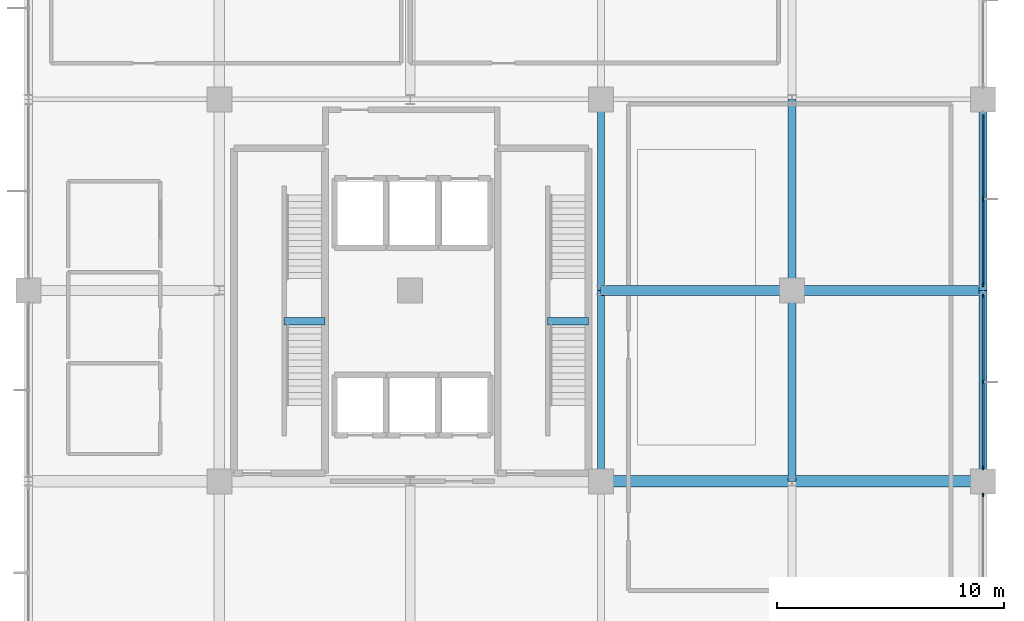
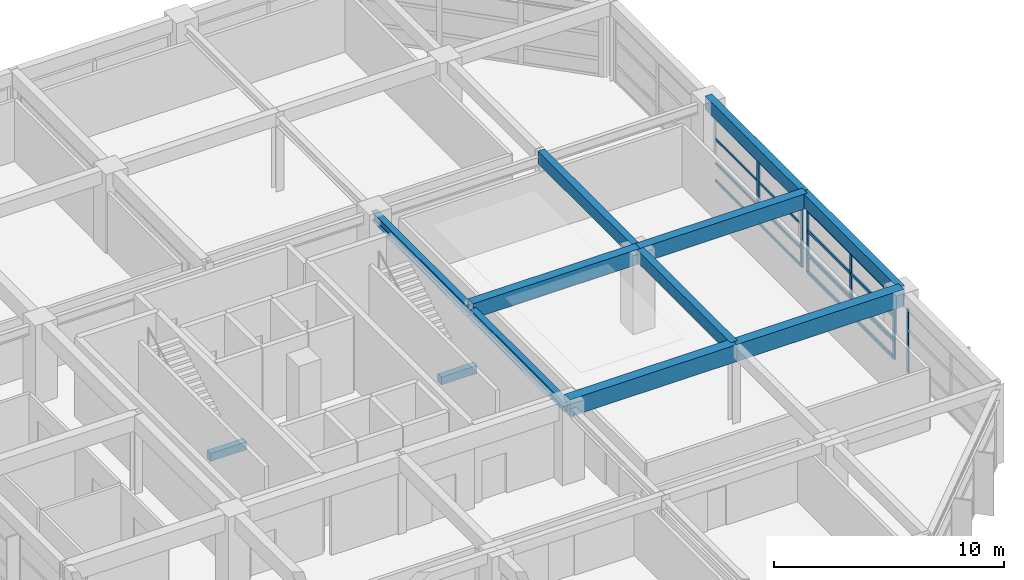
# One storey, part 9 of 19: 22 members, 12 beams, 3 elements without a shape of their own.
"""IFC4 building model written with IfcOpenShell, lengths in metres."""

from ifc_helpers import new_model, si_unit, direction, frame, origin, origin_2d, place, context, subcontext, project, spatial, rectangle, i_section, extrude, material, material_profile, profile_set, type_object, element, aggregate, save


model = new_model("IFC4")

# Units and contexts
model_context = context("Model", 3, precision=1e-05, world=origin(), true_north=direction((0.0, 1.0)))
body_context = subcontext(model_context, "Body", "Model", "MODEL_VIEW")
ifc_project = project(units=[si_unit("LENGTHUNIT", "METRE"), si_unit("AREAUNIT", "SQUARE_METRE"), si_unit("VOLUMEUNIT", "CUBIC_METRE"), si_unit("PLANEANGLEUNIT", "RADIAN"), si_unit("MASSUNIT", "GRAM", prefix="KILO")], contexts=[model_context])

# Site, building, storey
site_placement = place(None, origin())
site = spatial("IfcSite", under=ifc_project, at=site_placement, CompositionType="ELEMENT")
building_placement = place(site_placement, origin())
building = spatial("IfcBuilding", under=site, at=building_placement, Name="Xuanlan Plaza Opera House", CompositionType="ELEMENT")
storey_placement = place(building_placement, frame((0.0, 0.0, 36.300048828125)))
storey = spatial("IfcBuildingStorey", under=building, at=storey_placement, Name="L08", CompositionType="ELEMENT", Elevation=36.300048828125)

# Curtain wall, member
ifc_material_1 = material(Name="Anodised Aluminium 6063-T6 and Low-E Glass", Category="aluminium")
curtain_wall_type_1 = type_object("IfcCurtainWallType", Name="ENV-CW-CW-04", PredefinedType="USERDEFINED", material=ifc_material_1)
curtain_wall_1_placement = place(storey_placement, origin())
curtain_wall_1 = element("IfcCurtainWall", 1, at=curtain_wall_1_placement, inside=storey, type_object=curtain_wall_type_1, Name="Unitised Curtain Wall L08-006", ObjectType="UNITISED CURTAIN WALL", PredefinedType="USERDEFINED")
ifc_material_2 = material(Name="Anodised Aluminium 6063-T6", Category="aluminium")
ifc_material_profile_1 = material_profile(ifc_material_2, rectangle(XDim=0.06494140625, YDim=0.159912109375, at=origin_2d()), Name="ALU-M 65x160")
ifc_profile_set_1 = profile_set([ifc_material_profile_1], Name="Anodised Aluminium 6063-T6")
member_type_1 = type_object("IfcMemberType", Name="ENV-CWM-01", PredefinedType="MULLION", material=ifc_profile_set_1)
member_1_placement = place(storey_placement, frame((168.0, 49.797607421875, 0.0), z_axis=(0.0, 0.0, 1.0), x_axis=(-1.0, 0.0, 0.0)))
member_1 = element("IfcMember", 2, at=member_1_placement, type_object=member_type_1, Name="CW-04 mullion 3", PredefinedType="MULLION", context=body_context, shape_type="SweptSolid", body=[
    extrude(rectangle(XDim=0.06494140625, YDim=0.159912109375, at=origin_2d()), origin(), (0.0, 0.0, 1.0), 3.3798828125),
])
aggregate(curtain_wall_1, [member_1])

# Curtain wall, members
curtain_wall_type_2 = type_object("IfcCurtainWallType", Name="ENV-CW-CW-01", PredefinedType="USERDEFINED", material=ifc_material_1)
curtain_wall_2_placement = place(storey_placement, origin())
curtain_wall_2 = element("IfcCurtainWall", 3, at=curtain_wall_2_placement, inside=storey, type_object=curtain_wall_type_2, Name="Unitised Curtain Wall L08-007", ObjectType="UNITISED CURTAIN WALL", PredefinedType="USERDEFINED")
ifc_material_profile_2 = material_profile(ifc_material_2, rectangle(XDim=0.070068359375, YDim=0.179931640625, at=origin_2d()), Name="ALU-M 70x180")
ifc_profile_set_2 = profile_set([ifc_material_profile_2], Name="Anodised Aluminium 6063-T6")
member_type_2 = type_object("IfcMemberType", Name="ENV-CWM-02", PredefinedType="MULLION", material=ifc_profile_set_2)
member_2_placement = place(storey_placement, frame((168.0, 51.0048828125, 0.0), z_axis=(0.0, 0.0, 1.0), x_axis=(-1.0, 0.0, 0.0)))
member_2 = element("IfcMember", 4, at=member_2_placement, type_object=member_type_2, Name="CW-01 mullion 1", PredefinedType="MULLION", context=body_context, shape_type="SweptSolid", body=[
    extrude(rectangle(XDim=0.070068359375, YDim=0.179931640625, at=origin_2d()), origin(), (0.0, 0.0, 1.0), 3.3798828125),
])
member_3_placement = place(storey_placement, frame((168.0, 54.77490234375, 0.0), z_axis=(0.0, 0.0, 1.0), x_axis=(-1.0, 0.0, 0.0)))
member_3 = element("IfcMember", 5, at=member_3_placement, type_object=member_type_2, Name="CW-01 mullion 2", PredefinedType="MULLION", context=body_context, shape_type="SweptSolid", body=[
    extrude(rectangle(XDim=0.070068359375, YDim=0.179931640625, at=origin_2d()), origin(), (0.0, 0.0, 1.0), 3.3798828125),
])
member_4_placement = place(storey_placement, frame((168.0, 58.544921875, 0.0), z_axis=(0.0, 0.0, 1.0), x_axis=(-1.0, 0.0, 0.0)))
member_4 = element("IfcMember", 6, at=member_4_placement, type_object=member_type_2, Name="CW-01 mullion 3", PredefinedType="MULLION", context=body_context, shape_type="SweptSolid", body=[
    extrude(rectangle(XDim=0.070068359375, YDim=0.179931640625, at=origin_2d()), origin(), (0.0, 0.0, 1.0), 3.3798828125),
])

curtain_wall_type_3 = type_object("IfcCurtainWallType", Name="ENV-CW-CW-02", PredefinedType="USERDEFINED", material=ifc_material_1)
curtain_wall_3_placement = place(storey_placement, origin())
curtain_wall_3 = element("IfcCurtainWall", 7, at=curtain_wall_3_placement, inside=storey, type_object=curtain_wall_type_3, Name="Unitised Curtain Wall L08-008", ObjectType="UNITISED CURTAIN WALL", PredefinedType="USERDEFINED")
ifc_material_profile_3 = material_profile(ifc_material_2, rectangle(XDim=0.074951171875, YDim=0.199951171875, at=origin_2d()), Name="ALU-M 75x200")
ifc_profile_set_3 = profile_set([ifc_material_profile_3], Name="Anodised Aluminium 6063-T6")
member_type_3 = type_object("IfcMemberType", Name="ENV-CWM-03", PredefinedType="MULLION", material=ifc_profile_set_3)
member_5_placement = place(storey_placement, frame((168.0, 59.0576171875, 0.0), z_axis=(0.0, 0.0, 1.0), x_axis=(-1.0, 0.0, 0.0)))
member_5 = element("IfcMember", 8, at=member_5_placement, type_object=member_type_3, Name="CW-02 mullion 1", PredefinedType="MULLION", context=body_context, shape_type="SweptSolid", body=[
    extrude(rectangle(XDim=0.074951171875, YDim=0.199951171875, at=origin_2d()), origin(), (0.0, 0.0, 1.0), 3.3798828125),
])
member_6_placement = place(storey_placement, frame((168.0, 62.824951171875, 0.0), z_axis=(0.0, 0.0, 1.0), x_axis=(-1.0, 0.0, 0.0)))
member_6 = element("IfcMember", 9, at=member_6_placement, type_object=member_type_3, Name="CW-02 mullion 2", PredefinedType="MULLION", context=body_context, shape_type="SweptSolid", body=[
    extrude(rectangle(XDim=0.074951171875, YDim=0.199951171875, at=origin_2d()), origin(), (0.0, 0.0, 1.0), 3.3798828125),
])
ifc_material_profile_4 = material_profile(ifc_material_2, rectangle(XDim=0.06494140625, YDim=0.1201171875, at=origin_2d()), Name="ALU-T 65x120")
ifc_profile_set_4 = profile_set([ifc_material_profile_4], Name="Anodised Aluminium 6063-T6")
member_type_4 = type_object("IfcMemberType", Name="ENV-CWT-01", PredefinedType="USERDEFINED", material=ifc_profile_set_4)
member_7_placement = place(storey_placement, frame((168.0, 59.094970703125, 0.032470703125), z_axis=(0.0, 1.0, 0.0), x_axis=(-1.0, 0.0, 0.0)))
member_7 = element("IfcMember", 10, at=member_7_placement, type_object=member_type_4, Name="CW-02 transom 1.1", ObjectType="TRANSOM", PredefinedType="USERDEFINED", context=body_context, shape_type="SweptSolid", body=[
    extrude(rectangle(XDim=0.06494140625, YDim=0.1201171875, at=origin_2d()), origin(), (0.0, 0.0, 1.0), 3.692626953125),
])
member_8_placement = place(storey_placement, frame((168.0, 59.094970703125, 0.949951171875), z_axis=(0.0, 1.0, 0.0), x_axis=(-1.0, 0.0, 0.0)))
member_8 = element("IfcMember", 11, at=member_8_placement, type_object=member_type_4, Name="CW-02 transom 1.2", ObjectType="TRANSOM", PredefinedType="USERDEFINED", context=body_context, shape_type="SweptSolid", body=[
    extrude(rectangle(XDim=0.06494140625, YDim=0.1201171875, at=origin_2d()), origin(), (0.0, 0.0, 1.0), 3.692626953125),
])
member_9_placement = place(storey_placement, frame((168.0, 59.094970703125, 2.25), z_axis=(0.0, 1.0, 0.0), x_axis=(-1.0, 0.0, 0.0)))
member_9 = element("IfcMember", 12, at=member_9_placement, type_object=member_type_4, Name="CW-02 transom 1.3", ObjectType="TRANSOM", PredefinedType="USERDEFINED", context=body_context, shape_type="SweptSolid", body=[
    extrude(rectangle(XDim=0.06494140625, YDim=0.1201171875, at=origin_2d()), origin(), (0.0, 0.0, 1.0), 3.692626953125),
])
member_10_placement = place(storey_placement, frame((168.0, 59.094970703125, 3.347412109375), z_axis=(0.0, 1.0, 0.0), x_axis=(-1.0, 0.0, 0.0)))
member_10 = element("IfcMember", 13, at=member_10_placement, type_object=member_type_4, Name="CW-02 transom 1.4", ObjectType="TRANSOM", PredefinedType="USERDEFINED", context=body_context, shape_type="SweptSolid", body=[
    extrude(rectangle(XDim=0.06494140625, YDim=0.1201171875, at=origin_2d()), origin(), (0.0, 0.0, 1.0), 3.692626953125),
])
member_11_placement = place(storey_placement, frame((168.0, 62.862548828125, 0.032470703125), z_axis=(0.0, 1.0, 0.0), x_axis=(-1.0, 0.0, 0.0)))
member_11 = element("IfcMember", 14, at=member_11_placement, type_object=member_type_4, Name="CW-02 transom 2.1", ObjectType="TRANSOM", PredefinedType="USERDEFINED", context=body_context, shape_type="SweptSolid", body=[
    extrude(rectangle(XDim=0.06494140625, YDim=0.1201171875, at=origin_2d()), origin(), (0.0, 0.0, 1.0), 3.6923828125),
])
member_12_placement = place(storey_placement, frame((168.0, 62.862548828125, 0.949951171875), z_axis=(0.0, 1.0, 0.0), x_axis=(-1.0, 0.0, 0.0)))
member_12 = element("IfcMember", 15, at=member_12_placement, type_object=member_type_4, Name="CW-02 transom 2.2", ObjectType="TRANSOM", PredefinedType="USERDEFINED", context=body_context, shape_type="SweptSolid", body=[
    extrude(rectangle(XDim=0.06494140625, YDim=0.1201171875, at=origin_2d()), origin(), (0.0, 0.0, 1.0), 3.6923828125),
])
member_13_placement = place(storey_placement, frame((168.0, 62.862548828125, 2.25), z_axis=(0.0, 1.0, 0.0), x_axis=(-1.0, 0.0, 0.0)))
member_13 = element("IfcMember", 16, at=member_13_placement, type_object=member_type_4, Name="CW-02 transom 2.3", ObjectType="TRANSOM", PredefinedType="USERDEFINED", context=body_context, shape_type="SweptSolid", body=[
    extrude(rectangle(XDim=0.06494140625, YDim=0.1201171875, at=origin_2d()), origin(), (0.0, 0.0, 1.0), 3.6923828125),
])
member_14_placement = place(storey_placement, frame((168.0, 62.862548828125, 3.347412109375), z_axis=(0.0, 1.0, 0.0), x_axis=(-1.0, 0.0, 0.0)))
member_14 = element("IfcMember", 17, at=member_14_placement, type_object=member_type_4, Name="CW-02 transom 2.4", ObjectType="TRANSOM", PredefinedType="USERDEFINED", context=body_context, shape_type="SweptSolid", body=[
    extrude(rectangle(XDim=0.06494140625, YDim=0.1201171875, at=origin_2d()), origin(), (0.0, 0.0, 1.0), 3.6923828125),
])
aggregate(curtain_wall_3, [member_5, member_6, member_7, member_8, member_9, member_10, member_11, member_12, member_13, member_14])

# Member
ifc_material_profile_5 = material_profile(ifc_material_2, rectangle(XDim=0.080078125, YDim=0.1650390625, at=origin_2d()), Name="ALU-T 80x165")
ifc_profile_set_5 = profile_set([ifc_material_profile_5], Name="Anodised Aluminium 6063-T6")
member_type_5 = type_object("IfcMemberType", Name="ENV-CWT-04", PredefinedType="USERDEFINED", material=ifc_profile_set_5)
member_15_placement = place(storey_placement, frame((168.0, 51.0400390625, 0.0400390625), z_axis=(0.0, 1.0, 0.0), x_axis=(-1.0, 0.0, 0.0)))
member_15 = element("IfcMember", 18, at=member_15_placement, type_object=member_type_5, Name="CW-01 transom 1.1", ObjectType="TRANSOM", PredefinedType="USERDEFINED", context=body_context, shape_type="SweptSolid", body=[
    extrude(rectangle(XDim=0.080078125, YDim=0.1650390625, at=origin_2d()), origin(), (0.0, 0.0, 1.0), 3.699951171875),
])

member_16_placement = place(storey_placement, frame((168.0, 51.0400390625, 0.949951171875), z_axis=(0.0, 1.0, 0.0), x_axis=(-1.0, 0.0, 0.0)))
member_16 = element("IfcMember", 19, at=member_16_placement, type_object=member_type_5, Name="CW-01 transom 1.2", ObjectType="TRANSOM", PredefinedType="USERDEFINED", context=body_context, shape_type="SweptSolid", body=[
    extrude(rectangle(XDim=0.080078125, YDim=0.1650390625, at=origin_2d()), origin(), (0.0, 0.0, 1.0), 3.699951171875),
])

member_17_placement = place(storey_placement, frame((168.0, 51.0400390625, 2.25), z_axis=(0.0, 1.0, 0.0), x_axis=(-1.0, 0.0, 0.0)))
member_17 = element("IfcMember", 20, at=member_17_placement, type_object=member_type_5, Name="CW-01 transom 1.3", ObjectType="TRANSOM", PredefinedType="USERDEFINED", context=body_context, shape_type="SweptSolid", body=[
    extrude(rectangle(XDim=0.080078125, YDim=0.1650390625, at=origin_2d()), origin(), (0.0, 0.0, 1.0), 3.699951171875),
])

member_18_placement = place(storey_placement, frame((168.0, 51.0400390625, 3.33984375), z_axis=(0.0, 1.0, 0.0), x_axis=(-1.0, 0.0, 0.0)))
member_18 = element("IfcMember", 21, at=member_18_placement, type_object=member_type_5, Name="CW-01 transom 1.4", ObjectType="TRANSOM", PredefinedType="USERDEFINED", context=body_context, shape_type="SweptSolid", body=[
    extrude(rectangle(XDim=0.080078125, YDim=0.1650390625, at=origin_2d()), origin(), (0.0, 0.0, 1.0), 3.699951171875),
])

member_19_placement = place(storey_placement, frame((168.0, 54.81005859375, 0.0400390625), z_axis=(0.0, 1.0, 0.0), x_axis=(-1.0, 0.0, 0.0)))
member_19 = element("IfcMember", 22, at=member_19_placement, type_object=member_type_5, Name="CW-01 transom 2.1", ObjectType="TRANSOM", PredefinedType="USERDEFINED", context=body_context, shape_type="SweptSolid", body=[
    extrude(rectangle(XDim=0.080078125, YDim=0.1650390625, at=origin_2d()), origin(), (0.0, 0.0, 1.0), 3.699951171875),
])

member_20_placement = place(storey_placement, frame((168.0, 54.81005859375, 0.949951171875), z_axis=(0.0, 1.0, 0.0), x_axis=(-1.0, 0.0, 0.0)))
member_20 = element("IfcMember", 23, at=member_20_placement, type_object=member_type_5, Name="CW-01 transom 2.2", ObjectType="TRANSOM", PredefinedType="USERDEFINED", context=body_context, shape_type="SweptSolid", body=[
    extrude(rectangle(XDim=0.080078125, YDim=0.1650390625, at=origin_2d()), origin(), (0.0, 0.0, 1.0), 3.699951171875),
])

member_21_placement = place(storey_placement, frame((168.0, 54.81005859375, 2.25), z_axis=(0.0, 1.0, 0.0), x_axis=(-1.0, 0.0, 0.0)))
member_21 = element("IfcMember", 24, at=member_21_placement, type_object=member_type_5, Name="CW-01 transom 2.3", ObjectType="TRANSOM", PredefinedType="USERDEFINED", context=body_context, shape_type="SweptSolid", body=[
    extrude(rectangle(XDim=0.080078125, YDim=0.1650390625, at=origin_2d()), origin(), (0.0, 0.0, 1.0), 3.699951171875),
])

member_22_placement = place(storey_placement, frame((168.0, 54.81005859375, 3.33984375), z_axis=(0.0, 1.0, 0.0), x_axis=(-1.0, 0.0, 0.0)))
member_22 = element("IfcMember", 25, at=member_22_placement, type_object=member_type_5, Name="CW-01 transom 2.4", ObjectType="TRANSOM", PredefinedType="USERDEFINED", context=body_context, shape_type="SweptSolid", body=[
    extrude(rectangle(XDim=0.080078125, YDim=0.1650390625, at=origin_2d()), origin(), (0.0, 0.0, 1.0), 3.699951171875),
])

aggregate(curtain_wall_2, [member_2, member_3, member_4, member_15, member_16, member_17, member_18, member_19, member_20, member_21, member_22])

# Beams
ifc_material_3 = material(Name="Concrete C40", Category="concrete")
ifc_material_profile_6 = material_profile(ifc_material_3, rectangle(XDim=0.5, YDim=0.89990234375, at=origin_2d()), Name="RC-BM 500x900")
ifc_profile_set_6 = profile_set([ifc_material_profile_6], Name="Concrete C40")
beam_type_1 = type_object("IfcBeamType", Name="STR-BM-B-03", PredefinedType="BEAM", material=ifc_profile_set_6)
beam_1_placement = place(storey_placement, frame((151.199951171875, 50.39990234375, 3.75), z_axis=(1.0, 0.0, 0.0), x_axis=(0.0, 1.0, 0.0)))
element("IfcBeam", 26, at=beam_1_placement, inside=storey, type_object=beam_type_1, Name="Grid Beam X L08 19-20/G", PredefinedType="BEAM", context=body_context, shape_type="SweptSolid", body=[
    extrude(rectangle(XDim=0.5, YDim=0.89990234375, at=origin_2d()), origin(), (0.0, 0.0, 1.0), 8.400146484375),
])
beam_2_placement = place(storey_placement, frame((159.60009765625, 50.39990234375, 3.75), z_axis=(1.0, 0.0, 0.0), x_axis=(0.0, 1.0, 0.0)))
element("IfcBeam", 27, at=beam_2_placement, inside=storey, type_object=beam_type_1, Name="Grid Beam X L08 20-21/G", PredefinedType="BEAM", context=body_context, shape_type="SweptSolid", body=[
    extrude(rectangle(XDim=0.5, YDim=0.89990234375, at=origin_2d()), origin(), (0.0, 0.0, 1.0), 8.39990234375),
])
ifc_material_profile_7 = material_profile(ifc_material_3, rectangle(XDim=0.449951171875, YDim=0.800048828125, at=origin_2d()), Name="RC-BM 450x800")
ifc_profile_set_7 = profile_set([ifc_material_profile_7], Name="Concrete C40")
beam_type_2 = type_object("IfcBeamType", Name="STR-BM-B-05", PredefinedType="BEAM", material=ifc_profile_set_7)
beam_3_placement = place(storey_placement, frame((151.199951171875, 58.800048828125, 3.800048828125), z_axis=(1.0, 0.0, 0.0), x_axis=(0.0, 1.0, 0.0)))
element("IfcBeam", 28, at=beam_3_placement, inside=storey, type_object=beam_type_2, Name="Grid Beam X L08 19-20/H", PredefinedType="BEAM", context=body_context, shape_type="SweptSolid", body=[
    extrude(rectangle(XDim=0.449951171875, YDim=0.800048828125, at=origin_2d()), origin(), (0.0, 0.0, 1.0), 8.400146484375),
])
beam_4_placement = place(storey_placement, frame((159.60009765625, 58.800048828125, 3.800048828125), z_axis=(1.0, 0.0, 0.0), x_axis=(0.0, 1.0, 0.0)))
element("IfcBeam", 29, at=beam_4_placement, inside=storey, type_object=beam_type_2, Name="Grid Beam X L08 20-21/H", PredefinedType="BEAM", context=body_context, shape_type="SweptSolid", body=[
    extrude(rectangle(XDim=0.449951171875, YDim=0.800048828125, at=origin_2d()), origin(), (0.0, 0.0, 1.0), 8.39990234375),
])
ifc_material_profile_8 = material_profile(ifc_material_3, rectangle(XDim=0.35009765625, YDim=0.64990234375, at=origin_2d()), Name="RC-BM 350x650")
ifc_profile_set_8 = profile_set([ifc_material_profile_8], Name="Concrete C40")
beam_type_3 = type_object("IfcBeamType", Name="STR-BM-B-08", PredefinedType="BEAM", material=ifc_profile_set_8)
beam_5_placement = place(storey_placement, frame((159.60009765625, 50.39990234375, 3.875), z_axis=(0.0, 1.0, 0.0), x_axis=(-1.0, 0.0, 0.0)))
element("IfcBeam", 30, at=beam_5_placement, inside=storey, type_object=beam_type_3, Name="Grid Beam Y L08 20/G-H", PredefinedType="BEAM", context=body_context, shape_type="SweptSolid", body=[
    extrude(rectangle(XDim=0.35009765625, YDim=0.64990234375, at=origin_2d()), origin(), (0.0, 0.0, 1.0), 8.400146484375),
])
beam_6_placement = place(storey_placement, frame((159.60009765625, 58.800048828125, 3.875), z_axis=(0.0, 1.0, 0.0), x_axis=(-1.0, 0.0, 0.0)))
element("IfcBeam", 31, at=beam_6_placement, inside=storey, type_object=beam_type_3, Name="Grid Beam Y L08 20/H-I", PredefinedType="BEAM", context=body_context, shape_type="SweptSolid", body=[
    extrude(rectangle(XDim=0.35009765625, YDim=0.64990234375, at=origin_2d()), origin(), (0.0, 0.0, 1.0), 8.39990234375),
])
ifc_material_profile_9 = material_profile(ifc_material_3, rectangle(XDim=0.320068359375, YDim=0.419921875, at=origin_2d()), Name="RC-LNT 320x420")
ifc_profile_set_9 = profile_set([ifc_material_profile_9], Name="Concrete C40")
beam_type_4 = type_object("IfcBeamType", Name="STR-BM-LN-04", PredefinedType="LINTEL", material=ifc_profile_set_9)
beam_7_placement = place(storey_placement, frame((137.25, 57.445068359375, 1.68994140625), z_axis=(1.0, 0.0, 0.0), x_axis=(0.0, 1.0, 0.0)))
element("IfcBeam", 32, at=beam_7_placement, inside=storey, type_object=beam_type_4, Name="Stair Mid-Landing Trimmer Beam ST-T1 L08", PredefinedType="LINTEL", context=body_context, shape_type="SweptSolid", body=[
    extrude(rectangle(XDim=0.320068359375, YDim=0.419921875, at=origin_2d()), origin(), (0.0, 0.0, 1.0), 1.800048828125),
])
beam_8_placement = place(storey_placement, frame((148.85009765625, 57.445068359375, 1.68994140625), z_axis=(1.0, 0.0, 0.0), x_axis=(0.0, 1.0, 0.0)))
element("IfcBeam", 33, at=beam_8_placement, inside=storey, type_object=beam_type_4, Name="Stair Mid-Landing Trimmer Beam ST-T2 L08", PredefinedType="LINTEL", context=body_context, shape_type="SweptSolid", body=[
    extrude(rectangle(XDim=0.320068359375, YDim=0.419921875, at=origin_2d()), origin(), (0.0, 0.0, 1.0), 1.7998046875),
])
ifc_material_4 = material(Name="Steel Q355B", Category="steel")
ifc_material_profile_10 = material_profile(ifc_material_4, i_section(OverallWidth=0.300048828125, OverallDepth=0.488037109375, WebThickness=0.010986328125, FlangeThickness=0.01806640625, FilletRadius=0.02197265625, at=origin_2d()), Name="HM 488x300x11x18")
ifc_profile_set_10 = profile_set([ifc_material_profile_10], Name="Steel Q355B")
beam_type_5 = type_object("IfcBeamType", Name="STR-BM-SB-07", PredefinedType="BEAM", material=ifc_profile_set_10)
beam_9_placement = place(storey_placement, frame((151.199951171875, 50.39990234375, 3.7109375), z_axis=(0.0, 1.0, 0.0), x_axis=(-1.0, 0.0, 0.0)))
element("IfcBeam", 34, at=beam_9_placement, inside=storey, type_object=beam_type_5, Name="Grid Beam Y L08 19/G-H", PredefinedType="BEAM", context=body_context, shape_type="SweptSolid", body=[
    extrude(i_section(OverallWidth=0.300048828125, OverallDepth=0.488037109375, WebThickness=0.010986328125, FlangeThickness=0.01806640625, FilletRadius=0.02197265625, at=origin_2d()), origin(), (0.0, 0.0, 1.0), 8.400146484375),
])
beam_10_placement = place(storey_placement, frame((151.199951171875, 58.800048828125, 3.7109375), z_axis=(0.0, 1.0, 0.0), x_axis=(-1.0, 0.0, 0.0)))
element("IfcBeam", 35, at=beam_10_placement, inside=storey, type_object=beam_type_5, Name="Grid Beam Y L08 19/H-I", PredefinedType="BEAM", context=body_context, shape_type="SweptSolid", body=[
    extrude(i_section(OverallWidth=0.300048828125, OverallDepth=0.488037109375, WebThickness=0.010986328125, FlangeThickness=0.01806640625, FilletRadius=0.02197265625, at=origin_2d()), origin(), (0.0, 0.0, 1.0), 8.39990234375),
])
ifc_material_profile_11 = material_profile(ifc_material_3, rectangle(XDim=0.35009765625, YDim=0.699951171875, at=origin_2d()), Name="RC-SPD 350x700")
ifc_profile_set_11 = profile_set([ifc_material_profile_11], Name="Concrete C40")
beam_type_6 = type_object("IfcBeamType", Name="STR-BM-SP-02", PredefinedType="SPANDREL", material=ifc_profile_set_11)
beam_11_placement = place(storey_placement, frame((168.0, 50.39990234375, 3.849853515625), z_axis=(0.0, 1.0, 0.0), x_axis=(-1.0, 0.0, 0.0)))
element("IfcBeam", 36, at=beam_11_placement, inside=storey, type_object=beam_type_6, Name="Grid Beam Y L08 21/G-H", PredefinedType="SPANDREL", context=body_context, shape_type="SweptSolid", body=[
    extrude(rectangle(XDim=0.35009765625, YDim=0.699951171875, at=origin_2d()), origin(), (0.0, 0.0, 1.0), 8.400146484375),
])
beam_12_placement = place(storey_placement, frame((168.0, 58.800048828125, 3.849853515625), z_axis=(0.0, 1.0, 0.0), x_axis=(-1.0, 0.0, 0.0)))
element("IfcBeam", 37, at=beam_12_placement, inside=storey, type_object=beam_type_6, Name="Grid Beam Y L08 21/H-I", PredefinedType="SPANDREL", context=body_context, shape_type="SweptSolid", body=[
    extrude(rectangle(XDim=0.35009765625, YDim=0.699951171875, at=origin_2d()), origin(), (0.0, 0.0, 1.0), 8.39990234375),
])

save(model, "model.ifc")
